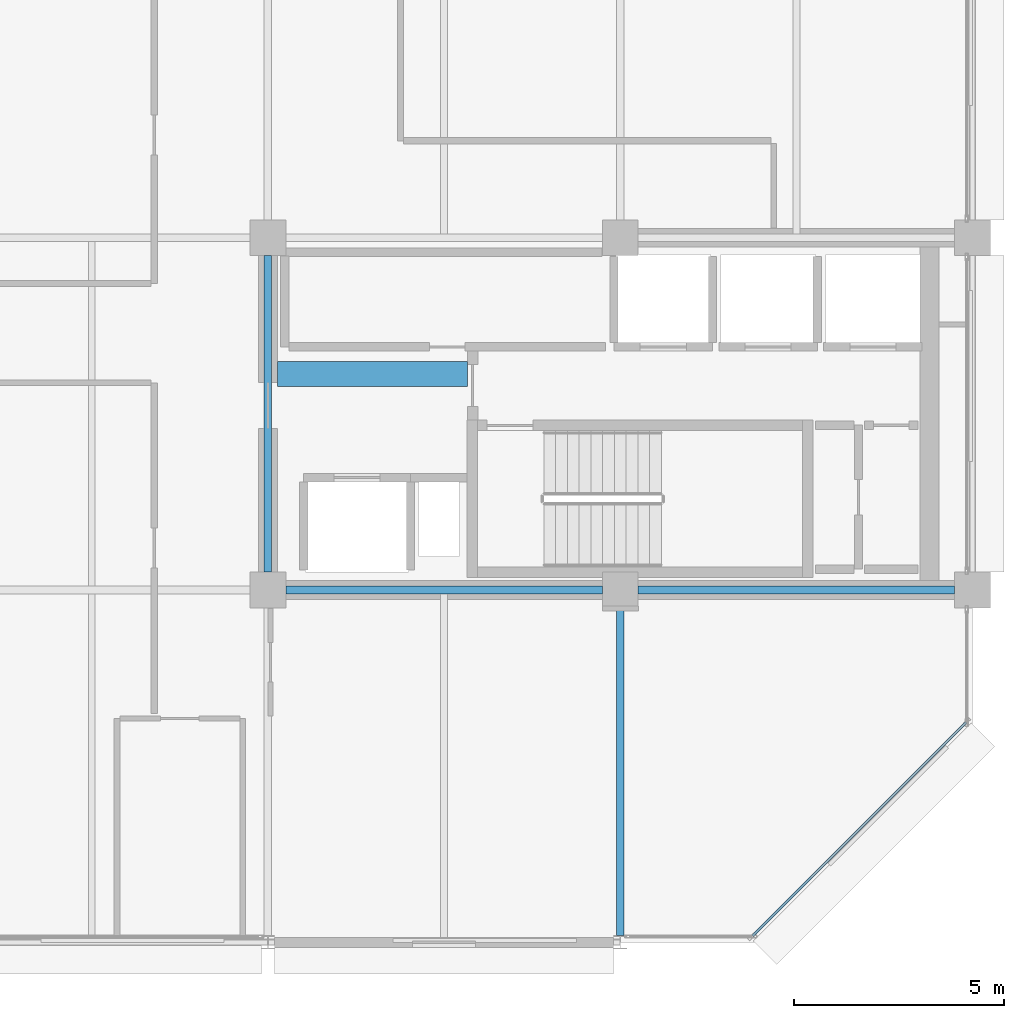
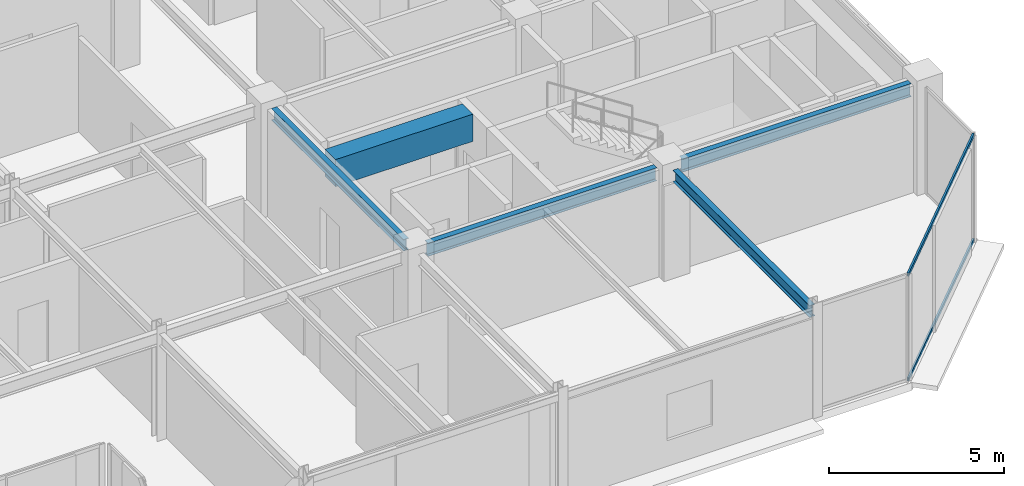
# One storey, part 8 of 25: 5 beams, 2 members, 1 element without a shape of its own.
"""IFC4 building model written with IfcOpenShell, lengths in metres."""

from ifc_helpers import new_model, si_unit, direction, frame, origin, origin_2d, place, context, subcontext, project, spatial, rectangle, hollow_rectangle, i_section, extrude, material, layer, layer_set, material_profile, profile_set, type_object, element, aggregate, save


model = new_model("IFC4")

# Units and contexts
model_context = context("Model", 3, precision=1e-05, world=origin(), true_north=direction((0.0, 1.0)))
body_context = subcontext(model_context, "Body", "Model", "MODEL_VIEW")
ifc_project = project(units=[si_unit("LENGTHUNIT", "METRE"), si_unit("AREAUNIT", "SQUARE_METRE"), si_unit("VOLUMEUNIT", "CUBIC_METRE"), si_unit("PLANEANGLEUNIT", "RADIAN"), si_unit("MASSUNIT", "GRAM", prefix="KILO")], contexts=[model_context])

# Site, building, storey
site_placement = place(None, origin())
site = spatial("IfcSite", under=ifc_project, at=site_placement, CompositionType="ELEMENT")
building_placement = place(site_placement, origin())
building = spatial("IfcBuilding", under=site, at=building_placement, Name="Nerrivon Quay Data Exchange", CompositionType="ELEMENT")
storey_placement = place(building_placement, frame((0.0, 0.0, 302.199951171875)))
storey = spatial("IfcBuildingStorey", under=building, at=storey_placement, Name="L72", CompositionType="ELEMENT", Elevation=302.199951171875)

# Beams
ifc_material_1 = material(Name="Concrete N50 (50 MPa)", Category="concrete")
ifc_material_profile_1 = material_profile(ifc_material_1, rectangle(XDim=0.60009765625, YDim=0.949951171875, at=origin_2d()), Name="RC-CB-600x950")
ifc_profile_set_1 = profile_set([ifc_material_profile_1], Name="Concrete N50 (50 MPa)")
beam_type_1 = type_object("IfcBeamType", Name="BM-CB2-600x950", PredefinedType="LINTEL", material=ifc_profile_set_1)
beam_1_placement = place(storey_placement, frame((17.02490234375, 13.550048828125, 3.25), z_axis=(1.0, 0.0, 0.0), x_axis=(0.0, 1.0, 0.0)))
element("IfcBeam", 1, at=beam_1_placement, inside=storey, type_object=beam_type_1, Name="L72 East Core Coupling Beam", PredefinedType="LINTEL", context=body_context, shape_type="SweptSolid", body=[
    extrude(rectangle(XDim=0.60009765625, YDim=0.949951171875, at=origin_2d()), origin(), (0.0, 0.0, 1.0), 4.530029296875),
])
ifc_material_2 = material(Name="Steel Grade 350", Category="steel")
ifc_material_profile_2 = material_profile(ifc_material_2, i_section(OverallWidth=0.18994140625, OverallDepth=0.4541015625, WebThickness=0.008544921875, FlangeThickness=0.0126953125, FilletRadius=0.011474609375, at=origin_2d()), Name="460UB67.1")
ifc_profile_set_2 = profile_set([ifc_material_profile_2], Name="Steel Grade 350")
beam_type_2 = type_object("IfcBeamType", Name="BM-G6-460UB67", PredefinedType="BEAM", material=ifc_profile_set_2)
beam_2_placement = place(storey_placement, frame((17.22509765625, 8.39990234375, 3.498046875), z_axis=(1.0, 0.0, 0.0), x_axis=(0.0, 1.0, 0.0)))
element("IfcBeam", 2, at=beam_2_placement, inside=storey, type_object=beam_type_2, Name="L72 EW Girder Y=8.4 (16.8..25.2)", PredefinedType="BEAM", context=body_context, shape_type="SweptSolid", body=[
    extrude(i_section(OverallWidth=0.18994140625, OverallDepth=0.4541015625, WebThickness=0.008544921875, FlangeThickness=0.0126953125, FilletRadius=0.011474609375, at=origin_2d()), origin(), (0.0, 0.0, 1.0), 7.5498046875),
])
beam_3_placement = place(storey_placement, frame((25.625, 8.39990234375, 3.498046875), z_axis=(1.0, 0.0, 0.0), x_axis=(0.0, 1.0, 0.0)))
element("IfcBeam", 3, at=beam_3_placement, inside=storey, type_object=beam_type_2, Name="L72 EW Girder Y=8.4 (25.2..33.6)", PredefinedType="BEAM", context=body_context, shape_type="SweptSolid", body=[
    extrude(i_section(OverallWidth=0.18994140625, OverallDepth=0.4541015625, WebThickness=0.008544921875, FlangeThickness=0.0126953125, FilletRadius=0.011474609375, at=origin_2d()), origin(), (0.0, 0.0, 1.0), 7.550048828125),
])
ifc_material_profile_3 = material_profile(ifc_material_2, i_section(OverallWidth=0.177978515625, OverallDepth=0.406005859375, WebThickness=0.0078125, FlangeThickness=0.0126953125, FilletRadius=0.011474609375, at=origin_2d()), Name="410UB59.7")
ifc_profile_set_3 = profile_set([ifc_material_profile_3], Name="Steel Grade 350")
beam_type_3 = type_object("IfcBeamType", Name="BM-J1-410UB60", PredefinedType="JOIST", material=ifc_profile_set_3)
beam_4_placement = place(storey_placement, frame((16.800048828125, 8.824951171875, 3.52197265625), z_axis=(0.0, 1.0, 0.0), x_axis=(-1.0, 0.0, 0.0)))
element("IfcBeam", 4, at=beam_4_placement, inside=storey, type_object=beam_type_3, Name="L72 NS Girder X=16.8 (8.4..16.8)", PredefinedType="JOIST", context=body_context, shape_type="SweptSolid", body=[
    extrude(i_section(OverallWidth=0.177978515625, OverallDepth=0.406005859375, WebThickness=0.0078125, FlangeThickness=0.0126953125, FilletRadius=0.011474609375, at=origin_2d()), origin(), (0.0, 0.0, 1.0), 7.550048828125),
])
beam_5_placement = place(storey_placement, frame((25.199951171875, 0.16357421875, 3.52197265625), z_axis=(0.0, 1.0, 0.0), x_axis=(-1.0, 0.0, 0.0)))
element("IfcBeam", 5, at=beam_5_placement, inside=storey, type_object=beam_type_3, Name="L72 NS Girder X=25.2 (0.0..8.4)", PredefinedType="JOIST", context=body_context, shape_type="SweptSolid", body=[
    extrude(i_section(OverallWidth=0.177978515625, OverallDepth=0.406005859375, WebThickness=0.0078125, FlangeThickness=0.0126953125, FilletRadius=0.011474609375, at=origin_2d()), origin(), (0.0, 0.0, 1.0), 7.8115234375),
])

# Curtain wall, members
ifc_material_3 = material(Name="Anodised aluminium 6063-T6", Category="aluminium")
ifc_layer = layer(ifc_material_3, 0.195068359375)
ifc_layer_set = layer_set([ifc_layer], Name="Anodised aluminium 6063-T6")
curtain_wall_type = type_object("IfcCurtainWallType", Name="CW-SYS-06", PredefinedType="NOTDEFINED", material=ifc_layer_set)
curtain_wall_placement = place(storey_placement, origin())
curtain_wall = element("IfcCurtainWall", 6, at=curtain_wall_placement, inside=storey, type_object=curtain_wall_type, Name="L72 Unitised Curtain Wall 1", PredefinedType="NOTDEFINED")
ifc_material_profile_4 = material_profile(ifc_material_3, hollow_rectangle(XDim=0.06005859375, YDim=0.1201171875, WallThickness=0.003173828125, at=origin_2d()), Name="ALU-TRAN-120x60")
ifc_profile_set_4 = profile_set([ifc_material_profile_4], Name="Anodised aluminium 6063-T6")
member_type = type_object("IfcMemberType", Name="CWT-120x60", PredefinedType="USERDEFINED", material=ifc_profile_set_4)
member_1_placement = place(storey_placement, frame((33.447998046875, 5.245849609375, 0.032470703125), z_axis=(-0.707123726196, -0.707089835771, 0.0), x_axis=(0.707089835771, -0.707123726196, 0.0)))
member_1 = element("IfcMember", 7, at=member_1_placement, type_object=member_type, Name="CW06 transom 1.1", ObjectType="TRANSOM", PredefinedType="USERDEFINED", context=body_context, shape_type="SweptSolid", body=[
    extrude(hollow_rectangle(XDim=0.06005859375, YDim=0.1201171875, WallThickness=0.003173828125, at=origin_2d()), origin(), (0.0, 0.0, 1.0), 7.203857421875),
])
member_2_placement = place(storey_placement, frame((33.447998046875, 5.245849609375, 3.692626953125), z_axis=(-0.707123726196, -0.707089835771, 0.0), x_axis=(0.707089835771, -0.707123726196, 0.0)))
member_2 = element("IfcMember", 8, at=member_2_placement, type_object=member_type, Name="CW06 transom 1.2", ObjectType="TRANSOM", PredefinedType="USERDEFINED", context=body_context, shape_type="SweptSolid", body=[
    extrude(hollow_rectangle(XDim=0.06005859375, YDim=0.1201171875, WallThickness=0.003173828125, at=origin_2d()), origin(), (0.0, 0.0, 1.0), 7.203857421875),
])
aggregate(curtain_wall, [member_1, member_2])

save(model, "model.ifc")
